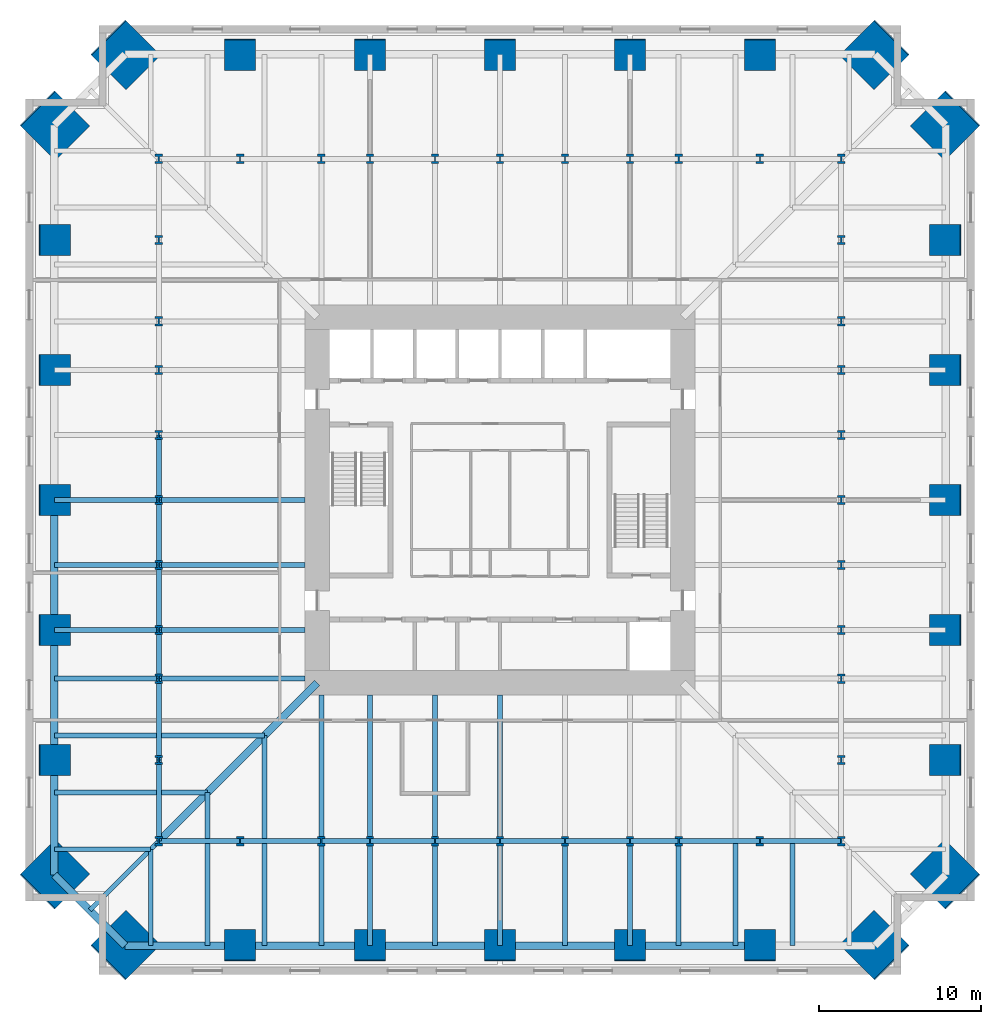
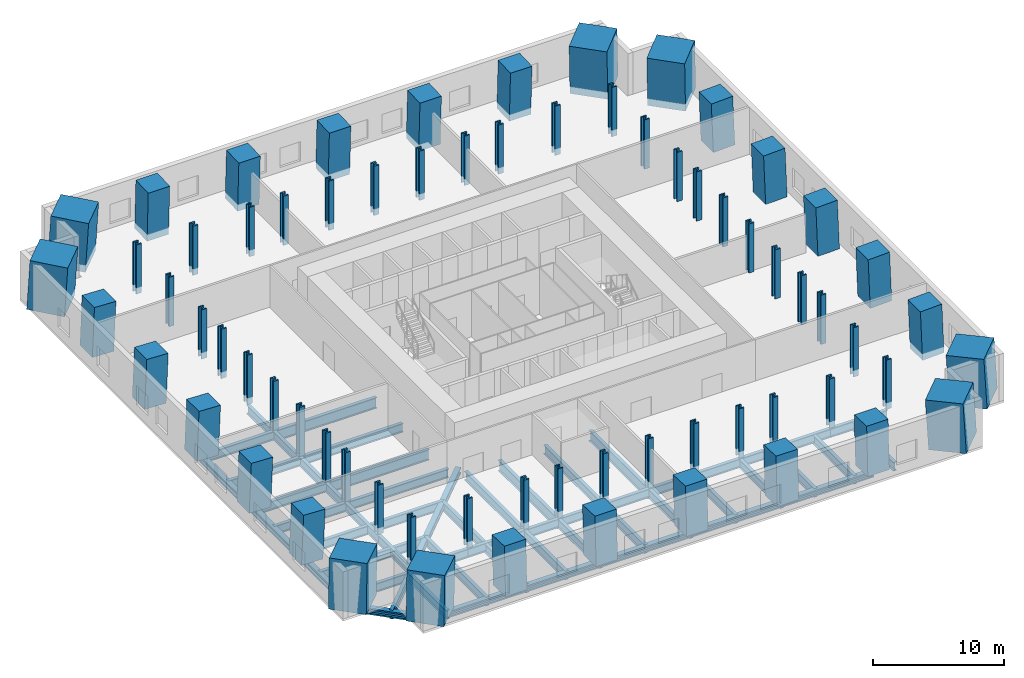
# One storey, part 1 of 8: 68 columns, 50 beams, 8 members.
"""IFC4 building model written with IfcOpenShell, lengths in metres."""

from ifc_helpers import new_model, si_unit, direction, frame, origin, origin_2d, place, context, subcontext, project, spatial, rectangle, i_section, extrude, material, material_profile, profile_set, type_object, element, save


model = new_model("IFC4")

# Units and contexts
model_context = context("Model", 3, precision=1e-05, world=origin(), true_north=direction((0.0, 1.0)))
body_context = subcontext(model_context, "Body", "Model", "MODEL_VIEW")
ifc_project = project(units=[si_unit("LENGTHUNIT", "METRE"), si_unit("AREAUNIT", "SQUARE_METRE"), si_unit("VOLUMEUNIT", "CUBIC_METRE"), si_unit("PLANEANGLEUNIT", "RADIAN"), si_unit("MASSUNIT", "GRAM", prefix="KILO")], contexts=[model_context])

# Site, building, storey
site_placement = place(None, origin())
site = spatial("IfcSite", under=ifc_project, at=site_placement, CompositionType="ELEMENT")
building_placement = place(site_placement, origin())
building = spatial("IfcBuilding", under=site, at=building_placement, Name="Peilmerk Tower", CompositionType="ELEMENT")
storey_placement = place(building_placement, frame((0.0, 0.0, 86.0)))
storey = spatial("IfcBuildingStorey", under=building, at=storey_placement, Name="L16", CompositionType="ELEMENT", Elevation=86.0)

# Columns
ifc_material_1 = material(Name="Concrete C90/105", Category="concrete")
ifc_material_profile_1 = material_profile(ifc_material_1, rectangle(XDim=3.0, YDim=3.0, at=origin_2d()), Name="RC 3000x3000")
ifc_profile_set_1 = profile_set([ifc_material_profile_1], Name="Concrete C90/105")
column_type_1 = type_object("IfcColumnType", Name="MC1 3000x3000 encased mega column", PredefinedType="COLUMN", material=ifc_profile_set_1)
for number, where, z_axis, x_axis, name in (
    (1, (23.0791015625, 27.428955078125, 0.0), (-0.040270042896, -0.040217055998, 0.998379142436), (0.706641119974, -0.707572135942, 0.0), "Mega column MC1 NE_N L16"),
    (2, (27.428955078125, 23.0791015625, 0.0), (-0.040217055998, -0.040270042896, 0.998379142436), (0.707572135942, -0.706641119974, 0.0), "Mega column MC1 NE_E L16"),
    (3, (27.428955078125, -23.0791015625, 0.0), (-0.040217055998, 0.040270042896, 0.998379142436), (-0.707572135942, -0.706641119974, 0.0), "Mega column MC1 SE_E L16"),
    (4, (23.0791015625, -27.428955078125, 0.0), (-0.040270042896, 0.040217055998, 0.998379142436), (-0.706641119974, -0.707572135942, 0.0), "Mega column MC1 SE_S L16"),
    (5, (-23.0791015625, -27.428955078125, 0.0), (0.040270042896, 0.040217055998, 0.998379142436), (-0.706641119974, 0.707572135942, 0.0), "Mega column MC1 SW_S L16"),
    (6, (-27.428955078125, -23.0791015625, 0.0), (0.040217055998, 0.040270042896, 0.998379142436), (-0.707572135942, 0.706641119974, 0.0), "Mega column MC1 SW_W L16"),
    (7, (-27.428955078125, 23.0791015625, 0.0), (0.040217055998, -0.040270042896, 0.998379142436), (0.707572135942, 0.706641119974, 0.0), "Mega column MC1 NW_W L16"),
    (8, (-23.0791015625, 27.428955078125, 0.0), (0.040270042896, -0.040217055998, 0.998379142436), (0.706641119974, 0.707572135942, 0.0), "Mega column MC1 NW_N L16"),
):
    element("IfcColumn", number, at=place(storey_placement, frame(where, z_axis=z_axis, x_axis=x_axis)), inside=storey, type_object=column_type_1, Name=name, PredefinedType="COLUMN", context=body_context, shape_type="SweptSolid", body=[
        extrude(rectangle(XDim=3.0, YDim=3.0, at=origin_2d()), origin(), (0.0, 0.0, 1.0), 4.607666015625),
    ])
ifc_material_profile_2 = material_profile(ifc_material_1, rectangle(XDim=1.89990234375, YDim=1.89990234375, at=origin_2d()), Name="RC 1900x1900")
ifc_profile_set_2 = profile_set([ifc_material_profile_2], Name="Concrete C90/105")
column_type_2 = type_object("IfcColumnType", Name="SC5 1900x1900 encased perimeter column", PredefinedType="COLUMN", material=ifc_profile_set_2)
for number, where, z_axis, x_axis, name in (
    (9, (0.0, 27.428955078125, 0.0), (0.0, -0.040249705237, 0.999189652282), (1.0, 0.0, 0.0), "Perimeter column N+0 L16"),
    (10, (8.0, 27.428955078125, 0.0), (0.0, -0.040249705237, 0.999189652282), (1.0, 0.0, 0.0), "Perimeter column N-8 L16"),
    (11, (-8.0, 27.428955078125, 0.0), (0.0, -0.040249705237, 0.999189652282), (1.0, 0.0, 0.0), "Perimeter column N+8 L16"),
    (12, (16.0, 27.428955078125, 0.0), (0.0, -0.040249705237, 0.999189652282), (1.0, 0.0, 0.0), "Perimeter column N-16 L16"),
    (13, (-16.0, 27.428955078125, 0.0), (0.0, -0.040249705237, 0.999189652282), (1.0, 0.0, 0.0), "Perimeter column N+16 L16"),
    (14, (27.428955078125, 0.0, 0.0), (-0.040249705237, 0.0, 0.999189652282), (0.0, -1.0, 0.0), "Perimeter column E+0 L16"),
    (15, (27.428955078125, -8.0, 0.0), (-0.040249705237, 0.0, 0.999189652282), (0.0, -1.0, 0.0), "Perimeter column E-8 L16"),
    (16, (27.428955078125, 8.0, 0.0), (-0.040249705237, 0.0, 0.999189652282), (0.0, -1.0, 0.0), "Perimeter column E+8 L16"),
    (17, (27.428955078125, -16.0, 0.0), (-0.040249705237, 0.0, 0.999189652282), (0.0, -1.0, 0.0), "Perimeter column E-16 L16"),
    (18, (27.428955078125, 16.0, 0.0), (-0.040249705237, 0.0, 0.999189652282), (0.0, -1.0, 0.0), "Perimeter column E+16 L16"),
    (19, (0.0, -27.428955078125, 0.0), (0.0, 0.040249705237, 0.999189652282), (-1.0, 0.0, 0.0), "Perimeter column S+0 L16"),
    (20, (-8.0, -27.428955078125, 0.0), (0.0, 0.040249705237, 0.999189652282), (-1.0, 0.0, 0.0), "Perimeter column S-8 L16"),
    (21, (8.0, -27.428955078125, 0.0), (0.0, 0.040249705237, 0.999189652282), (-1.0, 0.0, 0.0), "Perimeter column S+8 L16"),
    (22, (-16.0, -27.428955078125, 0.0), (0.0, 0.040249705237, 0.999189652282), (-1.0, 0.0, 0.0), "Perimeter column S-16 L16"),
    (23, (16.0, -27.428955078125, 0.0), (0.0, 0.040249705237, 0.999189652282), (-1.0, 0.0, 0.0), "Perimeter column S+16 L16"),
    (24, (-27.428955078125, 0.0, 0.0), (0.040249705237, 0.0, 0.999189652282), (0.0, 1.0, 0.0), "Perimeter column W+0 L16"),
    (25, (-27.428955078125, 8.0, 0.0), (0.040249705237, 0.0, 0.999189652282), (0.0, 1.0, 0.0), "Perimeter column W-8 L16"),
    (26, (-27.428955078125, -8.0, 0.0), (0.040249705237, 0.0, 0.999189652282), (0.0, 1.0, 0.0), "Perimeter column W+8 L16"),
    (27, (-27.428955078125, 16.0, 0.0), (0.040249705237, 0.0, 0.999189652282), (0.0, 1.0, 0.0), "Perimeter column W-16 L16"),
    (28, (-27.428955078125, -16.0, 0.0), (0.040249705237, 0.0, 0.999189652282), (0.0, 1.0, 0.0), "Perimeter column W+16 L16"),
):
    element("IfcColumn", number, at=place(storey_placement, frame(where, z_axis=z_axis, x_axis=x_axis)), inside=storey, type_object=column_type_2, Name=name, PredefinedType="COLUMN", context=body_context, shape_type="SweptSolid", body=[
        extrude(rectangle(XDim=1.89990234375, YDim=1.89990234375, at=origin_2d()), origin(), (0.0, 0.0, 1.0), 4.603759765625),
    ])
ifc_material_2 = material(Name="Steel S460", Category="steel")
ifc_material_profile_3 = material_profile(ifc_material_2, i_section(OverallWidth=0.4541015625, OverallDepth=0.569091796875, WebThickness=0.077880859375, FlangeThickness=0.125, at=origin_2d()), Name="HD 400x1086")
ifc_profile_set_3 = profile_set([ifc_material_profile_3], Name="Steel S460")
column_type_3 = type_object("IfcColumnType", Name="SC6 HD 400x1086 interior column", PredefinedType="COLUMN", material=ifc_profile_set_3)
for number, where, z_axis, x_axis, name in (
    (29, (0.0, 21.0, 0.0), (0.0, 0.0, 1.0), (1.0, 0.0, 0.0), "Interior column N+0 L16"),
    (30, (4.0, 21.0, 0.0), (0.0, 0.0, 1.0), (1.0, 0.0, 0.0), "Interior column N-4 L16"),
    (31, (-4.0, 21.0, 0.0), (0.0, 0.0, 1.0), (1.0, 0.0, 0.0), "Interior column N+4 L16"),
    (32, (8.0, 21.0, 0.0), (0.0, 0.0, 1.0), (1.0, 0.0, 0.0), "Interior column N-8 L16"),
    (33, (-8.0, 21.0, 0.0), (0.0, 0.0, 1.0), (1.0, 0.0, 0.0), "Interior column N+8 L16"),
    (34, (11.0, 21.0, 0.0), (0.0, 0.0, 1.0), (1.0, 0.0, 0.0), "Interior column N-11 L16"),
    (35, (-11.0, 21.0, 0.0), (0.0, 0.0, 1.0), (1.0, 0.0, 0.0), "Interior column N+11 L16"),
    (36, (16.0, 21.0, 0.0), (0.0, 0.0, 1.0), (1.0, 0.0, 0.0), "Interior column N-16 L16"),
    (37, (-16.0, 21.0, 0.0), (0.0, 0.0, 1.0), (1.0, 0.0, 0.0), "Interior column N+16 L16"),
    (38, (21.0, 0.0, 0.0), (0.0, 0.0, 1.0), (1.0, 0.0, 0.0), "Interior column E+0 L16"),
    (39, (21.0, -4.0, 0.0), (0.0, 0.0, 1.0), (1.0, 0.0, 0.0), "Interior column E-4 L16"),
    (40, (21.0, 4.0, 0.0), (0.0, 0.0, 1.0), (1.0, 0.0, 0.0), "Interior column E+4 L16"),
    (41, (21.0, -8.0, 0.0), (0.0, 0.0, 1.0), (1.0, 0.0, 0.0), "Interior column E-8 L16"),
    (42, (21.0, 8.0, 0.0), (0.0, 0.0, 1.0), (1.0, 0.0, 0.0), "Interior column E+8 L16"),
    (43, (21.0, -11.0, 0.0), (0.0, 0.0, 1.0), (1.0, 0.0, 0.0), "Interior column E-11 L16"),
    (44, (21.0, 11.0, 0.0), (0.0, 0.0, 1.0), (1.0, 0.0, 0.0), "Interior column E+11 L16"),
    (45, (21.0, -16.0, 0.0), (0.0, 0.0, 1.0), (1.0, 0.0, 0.0), "Interior column E-16 L16"),
    (46, (21.0, 16.0, 0.0), (0.0, 0.0, 1.0), (1.0, 0.0, 0.0), "Interior column E+16 L16"),
    (47, (0.0, -21.0, 0.0), (0.0, 0.0, 1.0), (1.0, 0.0, 0.0), "Interior column S+0 L16"),
    (48, (-4.0, -21.0, 0.0), (0.0, 0.0, 1.0), (1.0, 0.0, 0.0), "Interior column S-4 L16"),
    (49, (4.0, -21.0, 0.0), (0.0, 0.0, 1.0), (1.0, 0.0, 0.0), "Interior column S+4 L16"),
    (50, (-8.0, -21.0, 0.0), (0.0, 0.0, 1.0), (1.0, 0.0, 0.0), "Interior column S-8 L16"),
    (51, (8.0, -21.0, 0.0), (0.0, 0.0, 1.0), (1.0, 0.0, 0.0), "Interior column S+8 L16"),
    (52, (-11.0, -21.0, 0.0), (0.0, 0.0, 1.0), (1.0, 0.0, 0.0), "Interior column S-11 L16"),
    (53, (11.0, -21.0, 0.0), (0.0, 0.0, 1.0), (1.0, 0.0, 0.0), "Interior column S+11 L16"),
    (54, (-16.0, -21.0, 0.0), (0.0, 0.0, 1.0), (1.0, 0.0, 0.0), "Interior column S-16 L16"),
    (55, (16.0, -21.0, 0.0), (0.0, 0.0, 1.0), (1.0, 0.0, 0.0), "Interior column S+16 L16"),
    (56, (-21.0, 0.0, 0.0), (0.0, 0.0, 1.0), (1.0, 0.0, 0.0), "Interior column W+0 L16"),
    (57, (-21.0, 4.0, 0.0), (0.0, 0.0, 1.0), (1.0, 0.0, 0.0), "Interior column W-4 L16"),
    (58, (-21.0, -4.0, 0.0), (0.0, 0.0, 1.0), (1.0, 0.0, 0.0), "Interior column W+4 L16"),
    (59, (-21.0, 8.0, 0.0), (0.0, 0.0, 1.0), (1.0, 0.0, 0.0), "Interior column W-8 L16"),
    (60, (-21.0, -8.0, 0.0), (0.0, 0.0, 1.0), (1.0, 0.0, 0.0), "Interior column W+8 L16"),
    (61, (-21.0, 11.0, 0.0), (0.0, 0.0, 1.0), (1.0, 0.0, 0.0), "Interior column W-11 L16"),
    (62, (-21.0, -11.0, 0.0), (0.0, 0.0, 1.0), (1.0, 0.0, 0.0), "Interior column W+11 L16"),
    (63, (-21.0, 16.0, 0.0), (0.0, 0.0, 1.0), (1.0, 0.0, 0.0), "Interior column W-16 L16"),
    (64, (-21.0, -16.0, 0.0), (0.0, 0.0, 1.0), (1.0, 0.0, 0.0), "Interior column W+16 L16"),
    (65, (21.0, 21.0, 0.0), (0.0, 0.0, 1.0), (1.0, 0.0, 0.0), "Interior column NE L16"),
    (66, (21.0, -21.0, 0.0), (0.0, 0.0, 1.0), (1.0, 0.0, 0.0), "Interior column SE L16"),
    (67, (-21.0, -21.0, 0.0), (0.0, 0.0, 1.0), (1.0, 0.0, 0.0), "Interior column SW L16"),
    (68, (-21.0, 21.0, 0.0), (0.0, 0.0, 1.0), (1.0, 0.0, 0.0), "Interior column NW L16"),
):
    element("IfcColumn", number, at=place(storey_placement, frame(where, z_axis=z_axis, x_axis=x_axis)), inside=storey, type_object=column_type_3, Name=name, PredefinedType="COLUMN", context=body_context, shape_type="SweptSolid", body=[
        extrude(i_section(OverallWidth=0.4541015625, OverallDepth=0.569091796875, WebThickness=0.077880859375, FlangeThickness=0.125, at=origin_2d()), origin(), (0.0, 0.0, 1.0), 4.60009765625),
    ])

# Beams
ifc_material_profile_4 = material_profile(ifc_material_2, i_section(OverallWidth=0.4541015625, OverallDepth=0.569091796875, WebThickness=0.077880859375, FlangeThickness=0.125, at=origin_2d()), Name="HD 400x1086")
ifc_profile_set_4 = profile_set([ifc_material_profile_4], Name="Steel S460")
beam_type_1 = type_object("IfcBeamType", Name="B17 HD 400x1086 edge beam", PredefinedType="SPANDREL", material=ifc_profile_set_4)
beam_1_placement = place(storey_placement, frame((-23.0791015625, -27.428955078125, -0.484619140625), z_axis=(-0.707106781187, 0.707106781187, 0.0), x_axis=(-0.707106781187, -0.707106781187, 0.0)))
element("IfcBeam", 69, at=beam_1_placement, inside=storey, type_object=beam_type_1, Name="Notch beam L16", PredefinedType="SPANDREL", context=body_context, shape_type="SweptSolid", body=[
    extrude(i_section(OverallWidth=0.4541015625, OverallDepth=0.569091796875, WebThickness=0.077880859375, FlangeThickness=0.125, at=origin_2d()), origin(), (0.0, 0.0, 1.0), 6.151611328125),
])
ifc_material_3 = material(Name="Steel S355", Category="steel")
ifc_material_profile_5 = material_profile(ifc_material_3, i_section(OverallWidth=0.302001953125, OverallDepth=1.008056640625, WebThickness=0.02099609375, FlangeThickness=0.0400390625, at=origin_2d()), Name="HEM 1000")
ifc_profile_set_5 = profile_set([ifc_material_profile_5], Name="Steel S355")
beam_type_2 = type_object("IfcBeamType", Name="B24 HEM 1000 floor girder", PredefinedType="BEAM", material=ifc_profile_set_5)
for number, where, z_axis, x_axis, name in (
    (70, (-8.0, -12.0, -0.7041015625), (0.0, -1.0, 0.0), (1.0, 0.0, 0.0), "Floor girder L16"),
    (71, (0.0, -12.0, -0.7041015625), (0.0, -1.0, 0.0), (1.0, 0.0, 0.0), "Floor girder L16"),
    (72, (-12.0, 0.0, -0.7041015625), (-1.0, 0.0, 0.0), (0.0, -1.0, 0.0), "Floor girder L16"),
    (73, (-12.0, -8.0, -0.7041015625), (-1.0, 0.0, 0.0), (0.0, -1.0, 0.0), "Floor girder L16"),
):
    element("IfcBeam", number, at=place(storey_placement, frame(where, z_axis=z_axis, x_axis=x_axis)), inside=storey, type_object=beam_type_2, Name=name, PredefinedType="BEAM", context=body_context, shape_type="SweptSolid", body=[
        extrude(i_section(OverallWidth=0.302001953125, OverallDepth=1.008056640625, WebThickness=0.02099609375, FlangeThickness=0.0400390625, at=origin_2d()), origin(), (0.0, 0.0, 1.0), 9.0),
    ])
ifc_material_profile_6 = material_profile(ifc_material_2, i_section(OverallWidth=0.302978515625, OverallDepth=0.81396484375, WebThickness=0.02099609375, FlangeThickness=0.0400390625, at=origin_2d()), Name="HEM 800")
ifc_profile_set_6 = profile_set([ifc_material_profile_6], Name="Steel S460")
beam_type_3 = type_object("IfcBeamType", Name="B26 HEM 800 floor beam", PredefinedType="BEAM", material=ifc_profile_set_6)
beam_2_placement = place(storey_placement, frame((-11.0, -12.0, -0.60693359375), z_axis=(0.0, -1.0, 0.0), x_axis=(1.0, 0.0, 0.0)))
element("IfcBeam", 74, at=beam_2_placement, inside=storey, type_object=beam_type_3, Name="Floor beam L16", PredefinedType="BEAM", context=body_context, shape_type="SweptSolid", body=[
    extrude(i_section(OverallWidth=0.302978515625, OverallDepth=0.81396484375, WebThickness=0.02099609375, FlangeThickness=0.0400390625, at=origin_2d()), origin(), (0.0, 0.0, 1.0), 9.0),
])
for number, where, z_axis, x_axis, name in (
    (75, (-11.0, -21.0, -0.60693359375), (0.0, -1.0, 0.0), (1.0, 0.0, 0.0), "Floor beam L16"),
    (76, (-8.0, -21.0, -0.60693359375), (0.0, -1.0, 0.0), (1.0, 0.0, 0.0), "Floor girder L16"),
):
    element("IfcBeam", number, at=place(storey_placement, frame(where, z_axis=z_axis, x_axis=x_axis)), inside=storey, type_object=beam_type_3, Name=name, PredefinedType="BEAM", context=body_context, shape_type="SweptSolid", body=[
        extrude(i_section(OverallWidth=0.302978515625, OverallDepth=0.81396484375, WebThickness=0.02099609375, FlangeThickness=0.0400390625, at=origin_2d()), origin(), (0.0, 0.0, 1.0), 6.428955078125),
    ])
beam_3_placement = place(storey_placement, frame((-4.0, -12.0, -0.60693359375), z_axis=(0.0, -1.0, 0.0), x_axis=(1.0, 0.0, 0.0)))
element("IfcBeam", 77, at=beam_3_placement, inside=storey, type_object=beam_type_3, Name="Floor beam L16", PredefinedType="BEAM", context=body_context, shape_type="SweptSolid", body=[
    extrude(i_section(OverallWidth=0.302978515625, OverallDepth=0.81396484375, WebThickness=0.02099609375, FlangeThickness=0.0400390625, at=origin_2d()), origin(), (0.0, 0.0, 1.0), 9.0),
])
for number, where, z_axis, x_axis, name in (
    (78, (-4.0, -21.0, -0.60693359375), (0.0, -1.0, 0.0), (1.0, 0.0, 0.0), "Floor beam L16"),
    (79, (0.0, -21.0, -0.60693359375), (0.0, -1.0, 0.0), (1.0, 0.0, 0.0), "Floor girder L16"),
    (80, (4.0, -21.0, -0.60693359375), (0.0, -1.0, 0.0), (1.0, 0.0, 0.0), "Floor beam L16"),
    (81, (8.0, -21.0, -0.60693359375), (0.0, -1.0, 0.0), (1.0, 0.0, 0.0), "Floor girder L16"),
    (82, (11.0, -21.0, -0.60693359375), (0.0, -1.0, 0.0), (1.0, 0.0, 0.0), "Floor beam L16"),
):
    element("IfcBeam", number, at=place(storey_placement, frame(where, z_axis=z_axis, x_axis=x_axis)), inside=storey, type_object=beam_type_3, Name=name, PredefinedType="BEAM", context=body_context, shape_type="SweptSolid", body=[
        extrude(i_section(OverallWidth=0.302978515625, OverallDepth=0.81396484375, WebThickness=0.02099609375, FlangeThickness=0.0400390625, at=origin_2d()), origin(), (0.0, 0.0, 1.0), 6.428955078125),
    ])
for number, where, z_axis, x_axis, name in (
    (83, (-21.0, -21.0, -0.60693359375), (1.0, 0.0, 0.0), (0.0, 1.0, 0.0), "Ring girder L16"),
    (84, (-16.0, -21.0, -0.60693359375), (1.0, 0.0, 0.0), (0.0, 1.0, 0.0), "Ring girder L16"),
):
    element("IfcBeam", number, at=place(storey_placement, frame(where, z_axis=z_axis, x_axis=x_axis)), inside=storey, type_object=beam_type_3, Name=name, PredefinedType="BEAM", context=body_context, shape_type="SweptSolid", body=[
        extrude(i_section(OverallWidth=0.302978515625, OverallDepth=0.81396484375, WebThickness=0.02099609375, FlangeThickness=0.0400390625, at=origin_2d()), origin(), (0.0, 0.0, 1.0), 5.0),
    ])
beam_4_placement = place(storey_placement, frame((-11.0, -21.0, -0.60693359375), z_axis=(1.0, 0.0, 0.0), x_axis=(0.0, 1.0, 0.0)))
element("IfcBeam", 85, at=beam_4_placement, inside=storey, type_object=beam_type_3, Name="Ring girder L16", PredefinedType="BEAM", context=body_context, shape_type="SweptSolid", body=[
    extrude(i_section(OverallWidth=0.302978515625, OverallDepth=0.81396484375, WebThickness=0.02099609375, FlangeThickness=0.0400390625, at=origin_2d()), origin(), (0.0, 0.0, 1.0), 3.0),
])
for number, where, z_axis, x_axis, name in (
    (86, (-8.0, -21.0, -0.60693359375), (1.0, 0.0, 0.0), (0.0, 1.0, 0.0), "Ring girder L16"),
    (87, (-4.0, -21.0, -0.60693359375), (1.0, 0.0, 0.0), (0.0, 1.0, 0.0), "Ring girder L16"),
    (88, (0.0, -21.0, -0.60693359375), (1.0, 0.0, 0.0), (0.0, 1.0, 0.0), "Ring girder L16"),
    (89, (4.0, -21.0, -0.60693359375), (1.0, 0.0, 0.0), (0.0, 1.0, 0.0), "Ring girder L16"),
):
    element("IfcBeam", number, at=place(storey_placement, frame(where, z_axis=z_axis, x_axis=x_axis)), inside=storey, type_object=beam_type_3, Name=name, PredefinedType="BEAM", context=body_context, shape_type="SweptSolid", body=[
        extrude(i_section(OverallWidth=0.302978515625, OverallDepth=0.81396484375, WebThickness=0.02099609375, FlangeThickness=0.0400390625, at=origin_2d()), origin(), (0.0, 0.0, 1.0), 4.0),
    ])
beam_5_placement = place(storey_placement, frame((8.0, -21.0, -0.60693359375), z_axis=(1.0, 0.0, 0.0), x_axis=(0.0, 1.0, 0.0)))
element("IfcBeam", 90, at=beam_5_placement, inside=storey, type_object=beam_type_3, Name="Ring girder L16", PredefinedType="BEAM", context=body_context, shape_type="SweptSolid", body=[
    extrude(i_section(OverallWidth=0.302978515625, OverallDepth=0.81396484375, WebThickness=0.02099609375, FlangeThickness=0.0400390625, at=origin_2d()), origin(), (0.0, 0.0, 1.0), 3.0),
])
for number, where, z_axis, x_axis, name in (
    (91, (11.0, -21.0, -0.60693359375), (1.0, 0.0, 0.0), (0.0, 1.0, 0.0), "Ring girder L16"),
    (92, (16.0, -21.0, -0.60693359375), (1.0, 0.0, 0.0), (0.0, 1.0, 0.0), "Ring girder L16"),
):
    element("IfcBeam", number, at=place(storey_placement, frame(where, z_axis=z_axis, x_axis=x_axis)), inside=storey, type_object=beam_type_3, Name=name, PredefinedType="BEAM", context=body_context, shape_type="SweptSolid", body=[
        extrude(i_section(OverallWidth=0.302978515625, OverallDepth=0.81396484375, WebThickness=0.02099609375, FlangeThickness=0.0400390625, at=origin_2d()), origin(), (0.0, 0.0, 1.0), 5.0),
    ])
beam_6_placement = place(storey_placement, frame((-21.0, 0.0, -0.60693359375), z_axis=(-1.0, 0.0, 0.0), x_axis=(0.0, -1.0, 0.0)))
element("IfcBeam", 93, at=beam_6_placement, inside=storey, type_object=beam_type_3, Name="Floor girder L16", PredefinedType="BEAM", context=body_context, shape_type="SweptSolid", body=[
    extrude(i_section(OverallWidth=0.302978515625, OverallDepth=0.81396484375, WebThickness=0.02099609375, FlangeThickness=0.0400390625, at=origin_2d()), origin(), (0.0, 0.0, 1.0), 6.428955078125),
])
beam_7_placement = place(storey_placement, frame((-12.0, -4.0, -0.60693359375), z_axis=(-1.0, 0.0, 0.0), x_axis=(0.0, -1.0, 0.0)))
element("IfcBeam", 94, at=beam_7_placement, inside=storey, type_object=beam_type_3, Name="Floor beam L16", PredefinedType="BEAM", context=body_context, shape_type="SweptSolid", body=[
    extrude(i_section(OverallWidth=0.302978515625, OverallDepth=0.81396484375, WebThickness=0.02099609375, FlangeThickness=0.0400390625, at=origin_2d()), origin(), (0.0, 0.0, 1.0), 9.0),
])
for number, where, z_axis, x_axis, name in (
    (95, (-21.0, -4.0, -0.60693359375), (-1.0, 0.0, 0.0), (0.0, -1.0, 0.0), "Floor beam L16"),
    (96, (-21.0, -8.0, -0.60693359375), (-1.0, 0.0, 0.0), (0.0, -1.0, 0.0), "Floor girder L16"),
):
    element("IfcBeam", number, at=place(storey_placement, frame(where, z_axis=z_axis, x_axis=x_axis)), inside=storey, type_object=beam_type_3, Name=name, PredefinedType="BEAM", context=body_context, shape_type="SweptSolid", body=[
        extrude(i_section(OverallWidth=0.302978515625, OverallDepth=0.81396484375, WebThickness=0.02099609375, FlangeThickness=0.0400390625, at=origin_2d()), origin(), (0.0, 0.0, 1.0), 6.428955078125),
    ])
beam_8_placement = place(storey_placement, frame((-12.0, -11.0, -0.60693359375), z_axis=(-1.0, 0.0, 0.0), x_axis=(0.0, -1.0, 0.0)))
element("IfcBeam", 97, at=beam_8_placement, inside=storey, type_object=beam_type_3, Name="Floor beam L16", PredefinedType="BEAM", context=body_context, shape_type="SweptSolid", body=[
    extrude(i_section(OverallWidth=0.302978515625, OverallDepth=0.81396484375, WebThickness=0.02099609375, FlangeThickness=0.0400390625, at=origin_2d()), origin(), (0.0, 0.0, 1.0), 9.0),
])
beam_9_placement = place(storey_placement, frame((-21.0, -11.0, -0.60693359375), z_axis=(-1.0, 0.0, 0.0), x_axis=(0.0, -1.0, 0.0)))
element("IfcBeam", 98, at=beam_9_placement, inside=storey, type_object=beam_type_3, Name="Floor beam L16", PredefinedType="BEAM", context=body_context, shape_type="SweptSolid", body=[
    extrude(i_section(OverallWidth=0.302978515625, OverallDepth=0.81396484375, WebThickness=0.02099609375, FlangeThickness=0.0400390625, at=origin_2d()), origin(), (0.0, 0.0, 1.0), 6.428955078125),
])
for number, where, z_axis, x_axis, name in (
    (99, (-21.0, 4.0, -0.60693359375), (0.0, -1.0, 0.0), (1.0, 0.0, 0.0), "Ring girder L16"),
    (100, (-21.0, 0.0, -0.60693359375), (0.0, -1.0, 0.0), (1.0, 0.0, 0.0), "Ring girder L16"),
    (101, (-21.0, -4.0, -0.60693359375), (0.0, -1.0, 0.0), (1.0, 0.0, 0.0), "Ring girder L16"),
):
    element("IfcBeam", number, at=place(storey_placement, frame(where, z_axis=z_axis, x_axis=x_axis)), inside=storey, type_object=beam_type_3, Name=name, PredefinedType="BEAM", context=body_context, shape_type="SweptSolid", body=[
        extrude(i_section(OverallWidth=0.302978515625, OverallDepth=0.81396484375, WebThickness=0.02099609375, FlangeThickness=0.0400390625, at=origin_2d()), origin(), (0.0, 0.0, 1.0), 4.0),
    ])
beam_10_placement = place(storey_placement, frame((-21.0, -8.0, -0.60693359375), z_axis=(0.0, -1.0, 0.0), x_axis=(1.0, 0.0, 0.0)))
element("IfcBeam", 102, at=beam_10_placement, inside=storey, type_object=beam_type_3, Name="Ring girder L16", PredefinedType="BEAM", context=body_context, shape_type="SweptSolid", body=[
    extrude(i_section(OverallWidth=0.302978515625, OverallDepth=0.81396484375, WebThickness=0.02099609375, FlangeThickness=0.0400390625, at=origin_2d()), origin(), (0.0, 0.0, 1.0), 3.0),
])
for number, where, z_axis, x_axis, name in (
    (103, (-21.0, -11.0, -0.60693359375), (0.0, -1.0, 0.0), (1.0, 0.0, 0.0), "Ring girder L16"),
    (104, (-21.0, -16.0, -0.60693359375), (0.0, -1.0, 0.0), (1.0, 0.0, 0.0), "Ring girder L16"),
):
    element("IfcBeam", number, at=place(storey_placement, frame(where, z_axis=z_axis, x_axis=x_axis)), inside=storey, type_object=beam_type_3, Name=name, PredefinedType="BEAM", context=body_context, shape_type="SweptSolid", body=[
        extrude(i_section(OverallWidth=0.302978515625, OverallDepth=0.81396484375, WebThickness=0.02099609375, FlangeThickness=0.0400390625, at=origin_2d()), origin(), (0.0, 0.0, 1.0), 5.0),
    ])
for number, where, z_axis, x_axis, name in (
    (105, (14.5, -21.151611328125, -0.60693359375), (0.0, -1.0, 0.0), (1.0, 0.0, 0.0), "Floor beam L16"),
    (106, (18.0, -21.151611328125, -0.60693359375), (0.0, -1.0, 0.0), (1.0, 0.0, 0.0), "Floor beam L16"),
):
    element("IfcBeam", number, at=place(storey_placement, frame(where, z_axis=z_axis, x_axis=x_axis)), inside=storey, type_object=beam_type_3, Name=name, PredefinedType="BEAM", context=body_context, shape_type="SweptSolid", body=[
        extrude(i_section(OverallWidth=0.302978515625, OverallDepth=0.81396484375, WebThickness=0.02099609375, FlangeThickness=0.0400390625, at=origin_2d()), origin(), (0.0, 0.0, 1.0), 6.27734375),
    ])
beam_11_placement = place(storey_placement, frame((-21.0, -21.0, -0.60693359375), z_axis=(-0.707106781187, -0.707106781187, 0.0), x_axis=(0.707106781187, -0.707106781187, 0.0)))
element("IfcBeam", 107, at=beam_11_placement, inside=storey, type_object=beam_type_3, Name="Corner girder L16", PredefinedType="BEAM", context=body_context, shape_type="SweptSolid", body=[
    extrude(i_section(OverallWidth=0.302978515625, OverallDepth=0.81396484375, WebThickness=0.02099609375, FlangeThickness=0.0400390625, at=origin_2d()), origin(), (0.0, 0.0, 1.0), 6.016357421875),
])
beam_12_placement = place(storey_placement, frame((-14.5, -14.5, -0.60693359375), z_axis=(0.0, -1.0, 0.0), x_axis=(1.0, 0.0, 0.0)))
element("IfcBeam", 108, at=beam_12_placement, inside=storey, type_object=beam_type_3, Name="Floor beam L16", PredefinedType="BEAM", context=body_context, shape_type="SweptSolid", body=[
    extrude(i_section(OverallWidth=0.302978515625, OverallDepth=0.81396484375, WebThickness=0.02099609375, FlangeThickness=0.0400390625, at=origin_2d()), origin(), (0.0, 0.0, 1.0), 6.348388671875),
])
beam_13_placement = place(storey_placement, frame((-14.5, -21.151611328125, -0.60693359375), z_axis=(0.0, -1.0, 0.0), x_axis=(1.0, 0.0, 0.0)))
element("IfcBeam", 109, at=beam_13_placement, inside=storey, type_object=beam_type_3, Name="Floor beam L16", PredefinedType="BEAM", context=body_context, shape_type="SweptSolid", body=[
    extrude(i_section(OverallWidth=0.302978515625, OverallDepth=0.81396484375, WebThickness=0.02099609375, FlangeThickness=0.0400390625, at=origin_2d()), origin(), (0.0, 0.0, 1.0), 6.27734375),
])
beam_14_placement = place(storey_placement, frame((-14.5, -14.5, -0.60693359375), z_axis=(-1.0, 0.0, 0.0), x_axis=(0.0, -1.0, 0.0)))
element("IfcBeam", 110, at=beam_14_placement, inside=storey, type_object=beam_type_3, Name="Floor beam L16", PredefinedType="BEAM", context=body_context, shape_type="SweptSolid", body=[
    extrude(i_section(OverallWidth=0.302978515625, OverallDepth=0.81396484375, WebThickness=0.02099609375, FlangeThickness=0.0400390625, at=origin_2d()), origin(), (0.0, 0.0, 1.0), 6.348388671875),
])
beam_15_placement = place(storey_placement, frame((-21.151611328125, -14.5, -0.60693359375), z_axis=(-1.0, 0.0, 0.0), x_axis=(0.0, -1.0, 0.0)))
element("IfcBeam", 111, at=beam_15_placement, inside=storey, type_object=beam_type_3, Name="Floor beam L16", PredefinedType="BEAM", context=body_context, shape_type="SweptSolid", body=[
    extrude(i_section(OverallWidth=0.302978515625, OverallDepth=0.81396484375, WebThickness=0.02099609375, FlangeThickness=0.0400390625, at=origin_2d()), origin(), (0.0, 0.0, 1.0), 6.27734375),
])
beam_16_placement = place(storey_placement, frame((-18.0, -18.0, -0.60693359375), z_axis=(0.0, -1.0, 0.0), x_axis=(1.0, 0.0, 0.0)))
element("IfcBeam", 112, at=beam_16_placement, inside=storey, type_object=beam_type_3, Name="Floor beam L16", PredefinedType="BEAM", context=body_context, shape_type="SweptSolid", body=[
    extrude(i_section(OverallWidth=0.302978515625, OverallDepth=0.81396484375, WebThickness=0.02099609375, FlangeThickness=0.0400390625, at=origin_2d()), origin(), (0.0, 0.0, 1.0), 2.848388671875),
])
beam_17_placement = place(storey_placement, frame((-18.0, -21.151611328125, -0.60693359375), z_axis=(0.0, -1.0, 0.0), x_axis=(1.0, 0.0, 0.0)))
element("IfcBeam", 113, at=beam_17_placement, inside=storey, type_object=beam_type_3, Name="Floor beam L16", PredefinedType="BEAM", context=body_context, shape_type="SweptSolid", body=[
    extrude(i_section(OverallWidth=0.302978515625, OverallDepth=0.81396484375, WebThickness=0.02099609375, FlangeThickness=0.0400390625, at=origin_2d()), origin(), (0.0, 0.0, 1.0), 6.27734375),
])
beam_18_placement = place(storey_placement, frame((-18.0, -18.0, -0.60693359375), z_axis=(-1.0, 0.0, 0.0), x_axis=(0.0, -1.0, 0.0)))
element("IfcBeam", 114, at=beam_18_placement, inside=storey, type_object=beam_type_3, Name="Floor beam L16", PredefinedType="BEAM", context=body_context, shape_type="SweptSolid", body=[
    extrude(i_section(OverallWidth=0.302978515625, OverallDepth=0.81396484375, WebThickness=0.02099609375, FlangeThickness=0.0400390625, at=origin_2d()), origin(), (0.0, 0.0, 1.0), 2.848388671875),
])
beam_19_placement = place(storey_placement, frame((-21.151611328125, -18.0, -0.60693359375), z_axis=(-1.0, 0.0, 0.0), x_axis=(0.0, -1.0, 0.0)))
element("IfcBeam", 115, at=beam_19_placement, inside=storey, type_object=beam_type_3, Name="Floor beam L16", PredefinedType="BEAM", context=body_context, shape_type="SweptSolid", body=[
    extrude(i_section(OverallWidth=0.302978515625, OverallDepth=0.81396484375, WebThickness=0.02099609375, FlangeThickness=0.0400390625, at=origin_2d()), origin(), (0.0, 0.0, 1.0), 6.27734375),
])
for number, where, z_axis, x_axis, name in (
    (116, (-21.5, -21.5, -0.60693359375), (0.0, -1.0, 0.0), (1.0, 0.0, 0.0), "Floor beam L16"),
    (117, (-21.5, -21.5, -0.60693359375), (-1.0, 0.0, 0.0), (0.0, -1.0, 0.0), "Floor beam L16"),
):
    element("IfcBeam", number, at=place(storey_placement, frame(where, z_axis=z_axis, x_axis=x_axis)), inside=storey, type_object=beam_type_3, Name=name, PredefinedType="BEAM", context=body_context, shape_type="SweptSolid", body=[
        extrude(i_section(OverallWidth=0.302978515625, OverallDepth=0.81396484375, WebThickness=0.02099609375, FlangeThickness=0.0400390625, at=origin_2d()), origin(), (0.0, 0.0, 1.0), 5.928955078125),
    ])
ifc_material_profile_7 = material_profile(ifc_material_2, i_section(OverallWidth=0.4541015625, OverallDepth=0.569091796875, WebThickness=0.077880859375, FlangeThickness=0.125, at=origin_2d()), Name="HD 400x1086")
ifc_profile_set_7 = profile_set([ifc_material_profile_7], Name="Steel S460")
beam_type_4 = type_object("IfcBeamType", Name="B9 HD 400x1086 corner girder", PredefinedType="BEAM", material=ifc_profile_set_7)
beam_20_placement = place(storey_placement, frame((-11.25, -11.25, -0.484619140625), z_axis=(-0.707106781187, -0.707106781187, 0.0), x_axis=(0.707106781187, -0.707106781187, 0.0)))
element("IfcBeam", 118, at=beam_20_placement, inside=storey, type_object=beam_type_4, Name="Corner girder L16", PredefinedType="BEAM", context=body_context, shape_type="SweptSolid", body=[
    extrude(i_section(OverallWidth=0.4541015625, OverallDepth=0.569091796875, WebThickness=0.077880859375, FlangeThickness=0.125, at=origin_2d()), origin(), (0.0, 0.0, 1.0), 13.78857421875),
])

# Members
ifc_material_profile_8 = material_profile(ifc_material_2, i_section(OverallWidth=0.4541015625, OverallDepth=0.569091796875, WebThickness=0.077880859375, FlangeThickness=0.125, at=origin_2d()), Name="HD 400x1086")
ifc_profile_set_8 = profile_set([ifc_material_profile_8], Name="Steel S460")
member_type = type_object("IfcMemberType", Name="M1 HD 400x1086 belt truss chord", PredefinedType="CHORD", material=ifc_profile_set_8)
member_1_placement = place(storey_placement, frame((-23.0791015625, -27.428955078125, -0.484619140625), z_axis=(1.0, 0.0, 0.0), x_axis=(0.0, 1.0, 0.0)))
element("IfcMember", 119, at=member_1_placement, inside=storey, type_object=member_type, Name="Belt truss chord L16", PredefinedType="CHORD", context=body_context, shape_type="SweptSolid", body=[
    extrude(i_section(OverallWidth=0.4541015625, OverallDepth=0.569091796875, WebThickness=0.077880859375, FlangeThickness=0.125, at=origin_2d()), origin(), (0.0, 0.0, 1.0), 7.0791015625),
])
for number, where, z_axis, x_axis, name in (
    (120, (-16.0, -27.428955078125, -0.484619140625), (1.0, 0.0, 0.0), (0.0, 1.0, 0.0), "Belt truss chord L16"),
    (121, (-8.0, -27.428955078125, -0.484619140625), (1.0, 0.0, 0.0), (0.0, 1.0, 0.0), "Belt truss chord L16"),
    (122, (0.0, -27.428955078125, -0.484619140625), (1.0, 0.0, 0.0), (0.0, 1.0, 0.0), "Belt truss chord L16"),
    (123, (8.0, -27.428955078125, -0.484619140625), (1.0, 0.0, 0.0), (0.0, 1.0, 0.0), "Belt truss chord L16"),
    (124, (-27.428955078125, 0.0, -0.484619140625), (0.0, -1.0, 0.0), (1.0, 0.0, 0.0), "Belt truss chord L16"),
    (125, (-27.428955078125, -8.0, -0.484619140625), (0.0, -1.0, 0.0), (1.0, 0.0, 0.0), "Belt truss chord L16"),
):
    element("IfcMember", number, at=place(storey_placement, frame(where, z_axis=z_axis, x_axis=x_axis)), inside=storey, type_object=member_type, Name=name, PredefinedType="CHORD", context=body_context, shape_type="SweptSolid", body=[
        extrude(i_section(OverallWidth=0.4541015625, OverallDepth=0.569091796875, WebThickness=0.077880859375, FlangeThickness=0.125, at=origin_2d()), origin(), (0.0, 0.0, 1.0), 8.0),
    ])
member_2_placement = place(storey_placement, frame((-27.428955078125, -16.0, -0.484619140625), z_axis=(0.0, -1.0, 0.0), x_axis=(1.0, 0.0, 0.0)))
element("IfcMember", 126, at=member_2_placement, inside=storey, type_object=member_type, Name="Belt truss chord L16", PredefinedType="CHORD", context=body_context, shape_type="SweptSolid", body=[
    extrude(i_section(OverallWidth=0.4541015625, OverallDepth=0.569091796875, WebThickness=0.077880859375, FlangeThickness=0.125, at=origin_2d()), origin(), (0.0, 0.0, 1.0), 7.0791015625),
])

save(model, "model.ifc")
